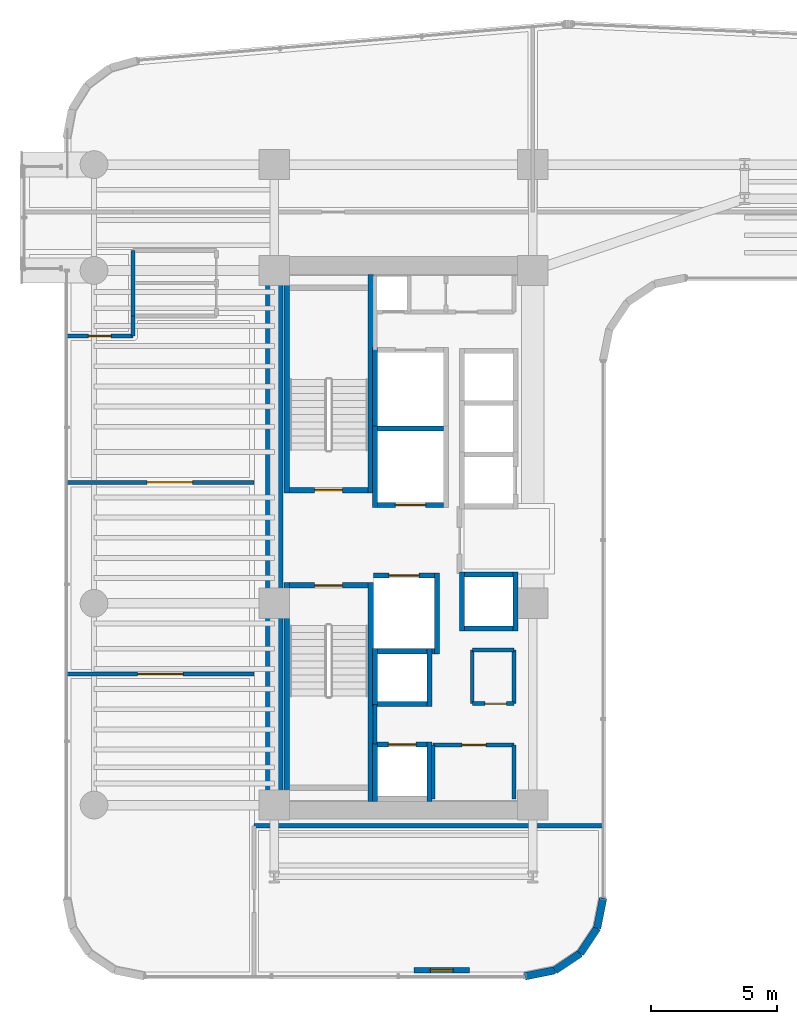
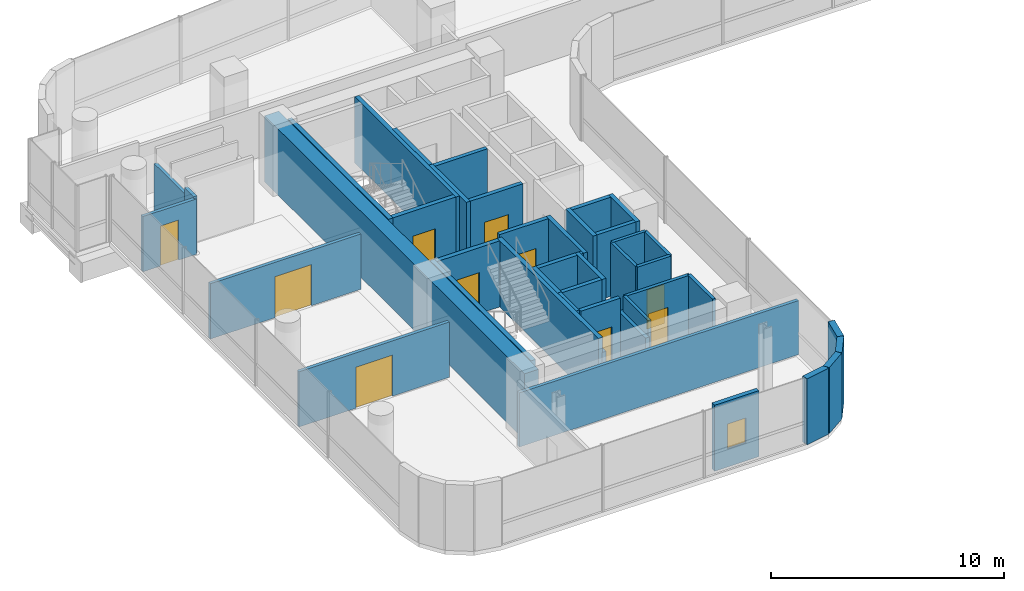
# One storey, part 27 of 34: 43 walls, 10 doors, 1 window, 11 openings.
"""IFC4 building model written with IfcOpenShell, lengths in metres."""

from ifc_helpers import new_model, si_unit, direction, frame, frame_2d, origin, place, context, subcontext, project, spatial, rectangle, extrude, material, layer, layer_set, type_object, element, fill, save


model = new_model("IFC4")

# Units and contexts
model_context = context("Model", 3, precision=1e-05, world=origin(), true_north=direction((0.0, 1.0)))
body_context = subcontext(model_context, "Body", "Model", "MODEL_VIEW")
ifc_project = project(units=[si_unit("LENGTHUNIT", "METRE"), si_unit("AREAUNIT", "SQUARE_METRE"), si_unit("VOLUMEUNIT", "CUBIC_METRE"), si_unit("PLANEANGLEUNIT", "RADIAN"), si_unit("MASSUNIT", "GRAM", prefix="KILO")], contexts=[model_context])

# Site, building, storey
site_placement = place(None, origin())
site = spatial("IfcSite", under=ifc_project, at=site_placement, CompositionType="ELEMENT")
building_placement = place(site_placement, origin())
building = spatial("IfcBuilding", under=site, at=building_placement, Name="Valdorenza Pilgrim Sanctuary Tower", CompositionType="ELEMENT")
storey_placement = place(building_placement, frame((0.0, 0.0, 120.5)))
storey = spatial("IfcBuildingStorey", under=building, at=storey_placement, Name="L30", CompositionType="ELEMENT", Elevation=120.5)

# Wall
ifc_material_1 = material(Name="Acoustic twin-stud gypsum partition", Category="gypsum")
ifc_layer_1 = layer(ifc_material_1, 0.159912109375, Name="Acoustic twin-stud gypsum partition")
ifc_layer_set_1 = layer_set([ifc_layer_1], Name="Acoustic twin-stud gypsum partition")
wall_type_1 = type_object("IfcWallType", Name="WAL-COR-160", PredefinedType="PARTITIONING", material=ifc_layer_set_1)
wall_1_placement = place(storey_placement, frame((-18.64990234375, -8.179931640625, 0.0), z_axis=(0.0, 0.0, 1.0), x_axis=(0.0, 1.0, 0.0)))
element("IfcWall", 1, at=wall_1_placement, inside=storey, type_object=wall_type_1, Name="L30 Core A South Lift Hall West Wall", PredefinedType="PARTITIONING", context=body_context, shape_type="SweptSolid", body=[
    extrude(rectangle(XDim=1.559814453125, YDim=0.159912109375, at=frame_2d((0.77978515625, 0.0))), origin(), (0.0, 0.0, 1.0), 3.4599609375),
])

# Wall, opening, door
wall_2_placement = place(storey_placement, frame((-16.35009765625, -8.219970703125, 0.0), z_axis=(0.0, 0.0, 1.0), x_axis=(1.0, 0.0, 0.0)))
wall_2 = element("IfcWall", 2, at=wall_2_placement, inside=storey, type_object=wall_type_1, Name="L30 Freed Shaft 1 North Wall", PredefinedType="PARTITIONING", context=body_context, shape_type="SweptSolid", body=[
    extrude(rectangle(XDim=3.2001953125, YDim=0.159912109375, at=frame_2d((1.60009765625, 0.0))), origin(), (0.0, 0.0, 1.0), 3.4599609375),
])
opening_1_placement = place(wall_2_placement, frame((1.14990234375, 0.0, 0.0)))
opening_1 = element("IfcOpeningElement", 3, at=opening_1_placement, cuts=wall_2, Name="Opening DR-UN1", PredefinedType="OPENING", context=body_context, shape_type="SweptSolid", body=[
    extrude(rectangle(XDim=0.949951171875, YDim=2.14990234375, at=frame_2d((0.47509765625, 1.074951171875))), frame((0.0, 0.0947265625, 0.0), z_axis=(0.0, -1.0, 0.0), x_axis=(1.0, 0.0, 0.0)), (0.0, 0.0, 1.0), 0.189697265625),
])
ifc_material_2 = material(Name="Solid-core European oak timber", Category="wood")
door_type_1 = type_object("IfcDoorType", Name="DR-UNIT-950", OperationType="NOTDEFINED", PredefinedType="DOOR", material=ifc_material_2)
door_1_placement = place(opening_1_placement, origin())
door_1 = element("IfcDoor", 4, at=door_1_placement, inside=storey, type_object=door_type_1, Name="L30 Back-of-House Linen Store Door", OperationType="SINGLE_SWING_RIGHT", OverallHeight=2.14990234375, OverallWidth=0.949951171875, PredefinedType="DOOR", context=body_context, shape_type="SweptSolid", body=[
    extrude(rectangle(XDim=0.949951171875, YDim=2.14990234375, at=frame_2d((0.47509765625, 1.074951171875))), frame((0.0, 0.02490234375, 0.0), z_axis=(0.0, -1.0, 0.0), x_axis=(1.0, 0.0, 0.0)), (0.0, 0.0, 1.0), 0.050048828125),
])
fill(opening_1, door_1)

# Wall
wall_3_placement = place(storey_placement, frame((-13.14990234375, -10.35009765625, 0.0), z_axis=(0.0, 0.0, 1.0), x_axis=(0.0, 1.0, 0.0)))
element("IfcWall", 5, at=wall_3_placement, inside=storey, type_object=wall_type_1, Name="L30 Freed Shaft 1 East Wall", PredefinedType="PARTITIONING", context=body_context, shape_type="SweptSolid", body=[
    extrude(rectangle(XDim=2.130126953125, YDim=0.159912109375, at=frame_2d((1.06494140625, 0.0))), origin(), (0.0, 0.0, 1.0), 3.4599609375),
])

# Wall, opening, door
wall_4_placement = place(storey_placement, frame((-14.800048828125, -6.580078125, 0.0), z_axis=(0.0, 0.0, 1.0), x_axis=(1.0, 0.0, 0.0)))
wall_4 = element("IfcWall", 6, at=wall_4_placement, inside=storey, type_object=wall_type_1, Name="L30 Freed Shaft 2 South Wall", PredefinedType="PARTITIONING", context=body_context, shape_type="SweptSolid", body=[
    extrude(rectangle(XDim=1.650146484375, YDim=0.159912109375, at=frame_2d((0.8251953125, 0.0))), origin(), (0.0, 0.0, 1.0), 3.4599609375),
])
opening_2_placement = place(wall_4_placement, frame((0.5, 0.0, 0.0)))
opening_2 = element("IfcOpeningElement", 7, at=opening_2_placement, cuts=wall_4, Name="Opening DR-RS1", PredefinedType="OPENING", context=body_context, shape_type="SweptSolid", body=[
    extrude(rectangle(XDim=0.85009765625, YDim=2.050048828125, at=frame_2d((0.425048828125, 1.02490234375))), frame((0.0, 0.0947265625, 0.0), z_axis=(0.0, -1.0, 0.0), x_axis=(1.0, 0.0, 0.0)), (0.0, 0.0, 1.0), 0.189697265625),
])
ifc_material_3 = material(Name="Painted galvanized steel", Category="steel")
door_type_2 = type_object("IfcDoorType", Name="DR-RSR-850", OperationType="NOTDEFINED", PredefinedType="DOOR", material=ifc_material_3)
door_2_placement = place(opening_2_placement, origin())
door_2 = element("IfcDoor", 8, at=door_2_placement, inside=storey, type_object=door_type_2, Name="L30 Guest Tea Pantry Door", OperationType="SINGLE_SWING_LEFT", OverallHeight=2.050048828125, OverallWidth=0.85009765625, PredefinedType="DOOR", context=body_context, shape_type="SweptSolid", body=[
    extrude(rectangle(XDim=0.85009765625, YDim=2.050048828125, at=frame_2d((0.425048828125, 1.02490234375))), frame((0.0, 0.02490234375, 0.0), z_axis=(0.0, -1.0, 0.0), x_axis=(1.0, 0.0, 0.0)), (0.0, 0.0, 1.0), 0.050048828125),
])
fill(opening_2, door_2)

# Walls
wall_5_placement = place(storey_placement, frame((-13.14990234375, -6.580078125, 0.0), z_axis=(0.0, 0.0, 1.0), x_axis=(0.0, 1.0, 0.0)))
element("IfcWall", 9, at=wall_5_placement, inside=storey, type_object=wall_type_1, Name="L30 Freed Shaft 2 East Wall", PredefinedType="PARTITIONING", context=body_context, shape_type="SweptSolid", body=[
    extrude(rectangle(XDim=2.130126953125, YDim=0.159912109375, at=frame_2d((1.06494140625, 0.0))), origin(), (0.0, 0.0, 1.0), 3.4599609375),
])
wall_6_placement = place(storey_placement, frame((-28.25, 8.800048828125, 0.0), z_axis=(0.0, 0.0, 1.0), x_axis=(0.0, 1.0, 0.0)))
element("IfcWall", 10, at=wall_6_placement, inside=storey, type_object=wall_type_1, Name="L30 Washroom West Wall", PredefinedType="PARTITIONING", context=body_context, shape_type="SweptSolid", body=[
    extrude(rectangle(XDim=2.599853515625, YDim=0.159912109375, at=frame_2d((1.2998046875, 0.0))), origin(), (0.0, 0.0, 1.0), 2.666015625),
])
wall_7_placement = place(storey_placement, frame((-23.449951171875, -11.419921875, 0.0), z_axis=(0.0, 0.0, 1.0), x_axis=(1.0, 0.0, 0.0)))
element("IfcWall", 11, at=wall_7_placement, inside=storey, type_object=wall_type_1, Name="L30 South-East Pocket North Wall", PredefinedType="PARTITIONING", context=body_context, shape_type="SweptSolid", body=[
    extrude(rectangle(XDim=13.83984375, YDim=0.159912109375, at=frame_2d((6.919921875, 0.0))), origin(), (0.0, 0.0, 1.0), 2.833984375),
])

# Wall, opening, door
wall_8_placement = place(storey_placement, frame((-30.889892578125, -5.39990234375, 0.0), z_axis=(0.0, 0.0, 1.0), x_axis=(1.0, 0.0, 0.0)))
wall_8 = element("IfcWall", 12, at=wall_8_placement, inside=storey, type_object=wall_type_1, Name="L30 Cloister South Room Wall", PredefinedType="PARTITIONING", context=body_context, shape_type="SweptSolid", body=[
    extrude(rectangle(XDim=7.43994140625, YDim=0.159912109375, at=frame_2d((3.719970703125, 0.0))), origin(), (0.0, 0.0, 1.0), 2.89599609375),
])
opening_3_placement = place(wall_8_placement, frame((2.820068359375, 0.0, 0.0)))
opening_3 = element("IfcOpeningElement", 13, at=opening_3_placement, cuts=wall_8, Name="Opening DR-HL1", PredefinedType="OPENING", context=body_context, shape_type="SweptSolid", body=[
    extrude(rectangle(XDim=1.800048828125, YDim=2.14990234375, at=frame_2d((0.89990234375, 1.074951171875))), frame((0.0, 0.0947265625, 0.0), z_axis=(0.0, -1.0, 0.0), x_axis=(1.0, 0.0, 0.0)), (0.0, 0.0, 1.0), 0.189697265625),
])
ifc_material_4 = material(Name="Acoustic oak and vision-glass double door", Category="glass")
door_type_3 = type_object("IfcDoorType", Name="DR-HALL-1800", OperationType="NOTDEFINED", PredefinedType="DOOR", material=ifc_material_4)
door_3_placement = place(opening_3_placement, frame((1.800048828125, 0.0, 0.0), z_axis=(0.0, 0.0, 1.0), x_axis=(-1.0, 0.0, 0.0)))
door_3 = element("IfcDoor", 14, at=door_3_placement, inside=storey, type_object=door_type_3, Name="L30 Sacred Archive Reading Library L30-S1 Door", OperationType="DOUBLE_DOOR_SINGLE_SWING", OverallHeight=2.14990234375, OverallWidth=1.800048828125, PredefinedType="DOOR", context=body_context, shape_type="SweptSolid", body=[
    extrude(rectangle(XDim=1.800048828125, YDim=2.14990234375, at=frame_2d((0.89990234375, 1.074951171875))), frame((0.0, 0.02490234375, 0.0), z_axis=(0.0, -1.0, 0.0), x_axis=(1.0, 0.0, 0.0)), (0.0, 0.0, 1.0), 0.050048828125),
])
fill(opening_3, door_3)

wall_9_placement = place(storey_placement, frame((-30.889892578125, 8.0, 0.0), z_axis=(0.0, 0.0, 1.0), x_axis=(1.0, 0.0, 0.0)))
wall_9 = element("IfcWall", 15, at=wall_9_placement, inside=storey, type_object=wall_type_1, Name="L30 Cloister North Room Wall", PredefinedType="PARTITIONING", context=body_context, shape_type="SweptSolid", body=[
    extrude(rectangle(XDim=2.639892578125, YDim=0.159912109375, at=frame_2d((1.31982421875, 0.0))), origin(), (0.0, 0.0, 1.0), 2.89599609375),
])
opening_4_placement = place(wall_9_placement, frame((0.8701171875, 0.0, 0.0)))
opening_4 = element("IfcOpeningElement", 16, at=opening_4_placement, cuts=wall_9, Name="Opening DR-RM1", PredefinedType="OPENING", context=body_context, shape_type="SweptSolid", body=[
    extrude(rectangle(XDim=0.89990234375, YDim=2.10009765625, at=frame_2d((0.449951171875, 1.050048828125))), frame((0.0, 0.0947265625, 0.0), z_axis=(0.0, -1.0, 0.0), x_axis=(1.0, 0.0, 0.0)), (0.0, 0.0, 1.0), 0.189697265625),
])
door_type_4 = type_object("IfcDoorType", Name="DR-ROOM-900", OperationType="NOTDEFINED", PredefinedType="DOOR", material=ifc_material_2)
door_4_placement = place(opening_4_placement, origin())
door_4 = element("IfcDoor", 17, at=door_4_placement, inside=storey, type_object=door_type_4, Name="L30 North Contemplation Lounge L30 Door", OperationType="SINGLE_SWING_RIGHT", OverallHeight=2.10009765625, OverallWidth=0.89990234375, PredefinedType="DOOR", context=body_context, shape_type="SweptSolid", body=[
    extrude(rectangle(XDim=0.89990234375, YDim=2.10009765625, at=frame_2d((0.449951171875, 1.050048828125))), frame((0.0, 0.02490234375, 0.0), z_axis=(0.0, -1.0, 0.0), x_axis=(1.0, 0.0, 0.0)), (0.0, 0.0, 1.0), 0.050048828125),
])
fill(opening_4, door_4)

# Wall
wall_10_placement = place(storey_placement, frame((-28.25, 8.0, 0.0), z_axis=(0.0, 0.0, 1.0), x_axis=(0.0, 1.0, 0.0)))
element("IfcWall", 18, at=wall_10_placement, inside=storey, type_object=wall_type_1, Name="L30 Cloister NE Closure", PredefinedType="PARTITIONING", context=body_context, shape_type="SweptSolid", body=[
    extrude(rectangle(XDim=0.800048828125, YDim=0.159912109375, at=frame_2d((0.39990234375, 0.0))), origin(), (0.0, 0.0, 1.0), 2.988037109375),
])

# Wall, opening, door
wall_11_placement = place(storey_placement, frame((-30.889892578125, 2.199951171875, 0.0), z_axis=(0.0, 0.0, 1.0), x_axis=(1.0, 0.0, 0.0)))
wall_11 = element("IfcWall", 19, at=wall_11_placement, inside=storey, type_object=wall_type_1, Name="L30 Cloister Mid Wall 2", PredefinedType="PARTITIONING", context=body_context, shape_type="SweptSolid", body=[
    extrude(rectangle(XDim=7.43994140625, YDim=0.159912109375, at=frame_2d((3.719970703125, 0.0))), origin(), (0.0, 0.0, 1.0), 2.89599609375),
])
opening_5_placement = place(wall_11_placement, frame((3.199951171875, 0.0, 0.0)))
opening_5 = element("IfcOpeningElement", 20, at=opening_5_placement, cuts=wall_11, Name="Opening DR-HL1", PredefinedType="OPENING", context=body_context, shape_type="SweptSolid", body=[
    extrude(rectangle(XDim=1.800048828125, YDim=2.14990234375, at=frame_2d((0.89990234375, 1.074951171875))), frame((0.0, 0.0947265625, 0.0), z_axis=(0.0, -1.0, 0.0), x_axis=(1.0, 0.0, 0.0)), (0.0, 0.0, 1.0), 0.189697265625),
])
door_5_placement = place(opening_5_placement, frame((1.800048828125, 0.0, 0.0), z_axis=(0.0, 0.0, 1.0), x_axis=(-1.0, 0.0, 0.0)))
door_5 = element("IfcDoor", 21, at=door_5_placement, inside=storey, type_object=door_type_3, Name="L30 Cloister Mid Double Door", OperationType="DOUBLE_DOOR_SINGLE_SWING", OverallHeight=2.14990234375, OverallWidth=1.800048828125, PredefinedType="DOOR", context=body_context, shape_type="SweptSolid", body=[
    extrude(rectangle(XDim=1.800048828125, YDim=2.14990234375, at=frame_2d((0.89990234375, 1.074951171875))), frame((0.0, 0.02490234375, 0.0), z_axis=(0.0, -1.0, 0.0), x_axis=(1.0, 0.0, 0.0)), (0.0, 0.0, 1.0), 0.050048828125),
])
fill(opening_5, door_5)

# Walls
ifc_material_5 = material(Name="Concrete C60/75", Category="concrete")
ifc_layer_2 = layer(ifc_material_5, 0.699951171875, Name="Concrete C60/75")
ifc_layer_set_2 = layer_set([ifc_layer_2], Name="Concrete C60/75")
wall_type_2 = type_object("IfcWallType", Name="WAL-COR-700", PredefinedType="SHEAR", material=ifc_layer_set_2)
wall_12_placement = place(storey_placement, frame((-22.64990234375, -11.14990234375, 0.0), z_axis=(0.0, 0.0, 1.0), x_axis=(0.0, 1.0, 0.0)))
element("IfcWall", 22, at=wall_12_placement, inside=storey, type_object=wall_type_2, Name="L30 Split Core A Shear Wall W", PredefinedType="SHEAR", context=body_context, shape_type="SweptSolid", body=[
    extrude(rectangle(XDim=22.2998046875, YDim=0.699951171875, at=frame_2d((11.14990234375, 0.0))), origin(), (0.0, 0.0, 1.0), 3.4599609375),
])
ifc_material_6 = material(Name="Honed travertine limestone", Category="masonry")
ifc_layer_3 = layer(ifc_material_6, 0.300048828125, Name="Honed travertine limestone")
ifc_layer_set_3 = layer_set([ifc_layer_3], Name="Honed travertine limestone")
wall_type_3 = type_object("IfcWallType", Name="WAL-EXT-300", PredefinedType="SOLIDWALL", material=ifc_layer_set_3)
wall_13_placement = place(storey_placement, frame((-9.610107421875, -14.289306640625, 0.0), z_axis=(0.0, 0.0, 1.0), x_axis=(-0.194996050505, -0.980804027463, 0.0)))
element("IfcWall", 23, at=wall_13_placement, inside=storey, type_object=wall_type_3, Name="L30 Rounded Wind-Corner Stone Pier 42", PredefinedType="SOLIDWALL", context=body_context, shape_type="SweptSolid", body=[
    extrude(rectangle(XDim=1.2158203125, YDim=0.300048828125, at=frame_2d((0.60791015625, 0.0))), origin(), (0.0, 0.0, 1.0), 3.4599609375),
])
for number, where, z_axis, x_axis, name in (
    (24, (-9.84716796875, -15.481689453125, 0.0), (0.0, 0.0, 1.0), (-0.555635100982, -0.831426265255, 0.0), "L30 Rounded Wind-Corner Stone Pier 43"),
    (25, (-10.5166015625, -16.4833984375, 0.0), (0.0, 0.0, 1.0), (-0.831426265255, -0.555635100982, 0.0), "L30 Rounded Wind-Corner Stone Pier 44"),
):
    element("IfcWall", number, at=place(storey_placement, frame(where, z_axis=z_axis, x_axis=x_axis)), inside=storey, type_object=wall_type_3, Name=name, PredefinedType="SOLIDWALL", context=body_context, shape_type="SweptSolid", body=[
        extrude(rectangle(XDim=1.204833984375, YDim=0.300048828125, at=frame_2d((0.6025390625, 0.0))), origin(), (0.0, 0.0, 1.0), 3.4599609375),
    ])
wall_14_placement = place(storey_placement, frame((-11.518310546875, -17.15283203125, 0.0), z_axis=(0.0, 0.0, 1.0), x_axis=(-0.980804027463, -0.194996050505, 0.0)))
element("IfcWall", 26, at=wall_14_placement, inside=storey, type_object=wall_type_3, Name="L30 Rounded Wind-Corner Stone Pier 45", PredefinedType="SOLIDWALL", context=body_context, shape_type="SweptSolid", body=[
    extrude(rectangle(XDim=1.2158203125, YDim=0.300048828125, at=frame_2d((0.60791015625, 0.0))), origin(), (0.0, 0.0, 1.0), 3.4599609375),
])

# Wall, opening, window
wall_15_placement = place(storey_placement, frame((-14.910888671875, -17.14990234375, 0.0), z_axis=(0.0, 0.0, 1.0), x_axis=(-1.0, 0.0, 0.0)))
wall_15 = element("IfcWall", 27, at=wall_15_placement, inside=storey, type_object=wall_type_3, Name="L30 Operable Ventilation Sash Jamb Pier", PredefinedType="SOLIDWALL", context=body_context, shape_type="SweptSolid", body=[
    extrude(rectangle(XDim=2.199951171875, YDim=0.219970703125, at=frame_2d((1.10009765625, 0.0))), origin(), (0.0, 0.0, 1.0), 3.4599609375),
])
opening_6_placement = place(wall_15_placement, frame((0.64990234375, 0.0, 0.949951171875)))
opening_6 = element("IfcOpeningElement", 28, at=opening_6_placement, cuts=wall_15, Name="Opening WN-OP1", PredefinedType="OPENING", context=body_context, shape_type="SweptSolid", body=[
    extrude(rectangle(XDim=0.89990234375, YDim=1.300048828125, at=frame_2d((0.449951171875, 0.64990234375))), frame((0.0, 0.125, 0.0), z_axis=(0.0, -1.0, 0.0), x_axis=(1.0, 0.0, 0.0)), (0.0, 0.0, 1.0), 0.249755859375),
])
ifc_material_7 = material(Name="Ceramic-fritted low-E IGU glazing", Category="glass")
window_type = type_object("IfcWindowType", Name="WIN-OPN-900", PartitioningType="SINGLE_PANEL", PredefinedType="WINDOW", material=ifc_material_7)
window_placement = place(opening_6_placement, origin())
window = element("IfcWindow", 29, at=window_placement, inside=storey, type_object=window_type, Name="L30 Parallel-Pop-Out Operable Facade Panel", OverallHeight=1.300048828125, OverallWidth=0.89990234375, PartitioningType="SINGLE_PANEL", PredefinedType="WINDOW", context=body_context, shape_type="SweptSolid", body=[
    extrude(rectangle(XDim=0.89990234375, YDim=1.300048828125, at=frame_2d((0.449951171875, 0.64990234375))), frame((0.0, 0.030029296875, 0.0), z_axis=(0.0, -1.0, 0.0), x_axis=(1.0, 0.0, 0.0)), (0.0, 0.0, 1.0), 0.06005859375),
])
fill(opening_6, window)

# Wall
ifc_material_8 = material(Name="Autoclaved aerated concrete blockwork", Category="masonry")
ifc_layer_4 = layer(ifc_material_8, 0.199951171875, Name="Autoclaved aerated concrete blockwork")
ifc_layer_set_4 = layer_set([ifc_layer_4], Name="Autoclaved aerated concrete blockwork")
wall_type_4 = type_object("IfcWallType", Name="WAL-SHF-200", PredefinedType="MOVABLE", material=ifc_layer_set_4)
wall_16_placement = place(storey_placement, frame((-18.64990234375, 1.199951171875, 0.0), z_axis=(0.0, 0.0, 1.0), x_axis=(0.0, 1.0, 0.0)))
element("IfcWall", 30, at=wall_16_placement, inside=storey, type_object=wall_type_4, Name="L30 Lift FFL-01 Hoistway Wall West", PredefinedType="MOVABLE", context=body_context, shape_type="SweptSolid", body=[
    extrude(rectangle(XDim=3.22509765625, YDim=0.199951171875, at=frame_2d((1.612548828125, 0.0))), origin(), (0.0, 0.0, 1.0), 3.4599609375),
])

# Wall, opening, door
wall_17_placement = place(storey_placement, frame((-18.550048828125, 1.300048828125, 0.0), z_axis=(0.0, 0.0, 1.0), x_axis=(1.0, 0.0, 0.0)))
wall_17 = element("IfcWall", 31, at=wall_17_placement, inside=storey, type_object=wall_type_4, Name="L30 Lift FFL-01 Hoistway Wall South", PredefinedType="MOVABLE", context=body_context, shape_type="SweptSolid", body=[
    extrude(rectangle(XDim=2.60009765625, YDim=0.199951171875, at=frame_2d((1.300048828125, 0.0))), origin(), (0.0, 0.0, 1.0), 3.4599609375),
])
opening_7_placement = place(wall_17_placement, frame((0.699951171875, 0.0, 0.0)))
opening_7 = element("IfcOpeningElement", 32, at=opening_7_placement, cuts=wall_17, Name="Opening LD-02", PredefinedType="OPENING", context=body_context, shape_type="SweptSolid", body=[
    extrude(rectangle(XDim=1.199951171875, YDim=2.10009765625, at=frame_2d((0.60009765625, 1.050048828125))), frame((0.0, 0.11474609375, 0.0), z_axis=(0.0, -1.0, 0.0), x_axis=(1.0, 0.0, 0.0)), (0.0, 0.0, 1.0), 0.229736328125),
])
ifc_material_9 = material(Name="Brushed stainless steel Grade 316", Category="steel")
door_type_5 = type_object("IfcDoorType", Name="DR-LFT-1200", OperationType="DOUBLE_DOOR_SLIDING", PredefinedType="DOOR", material=ifc_material_9)
door_6_placement = place(opening_7_placement, origin())
door_6 = element("IfcDoor", 33, at=door_6_placement, inside=storey, type_object=door_type_5, Name="L30 Lift FFL-01 Sliding Landing Door", OperationType="DOUBLE_DOOR_SLIDING", OverallHeight=2.10009765625, OverallWidth=1.199951171875, PredefinedType="DOOR", context=body_context, shape_type="SweptSolid", body=[
    extrude(rectangle(XDim=1.199951171875, YDim=2.10009765625, at=frame_2d((0.60009765625, 1.050048828125))), frame((0.0, 0.02490234375, 0.0), z_axis=(0.0, -1.0, 0.0), x_axis=(1.0, 0.0, 0.0)), (0.0, 0.0, 1.0), 0.050048828125),
])
fill(opening_7, door_6)

# Walls
wall_18_placement = place(storey_placement, frame((-18.550048828125, 4.324951171875, 0.0), z_axis=(0.0, 0.0, 1.0), x_axis=(1.0, 0.0, 0.0)))
element("IfcWall", 34, at=wall_18_placement, inside=storey, type_object=wall_type_4, Name="L30 Lift FFL-01 Hoistway Wall North", PredefinedType="MOVABLE", context=body_context, shape_type="SweptSolid", body=[
    extrude(rectangle(XDim=2.60009765625, YDim=0.199951171875, at=frame_2d((1.300048828125, 0.0))), origin(), (0.0, 0.0, 1.0), 3.4599609375),
])
wall_19_placement = place(storey_placement, frame((-16.199951171875, -4.60009765625, 0.0), z_axis=(0.0, 0.0, 1.0), x_axis=(0.0, 1.0, 0.0)))
element("IfcWall", 35, at=wall_19_placement, inside=storey, type_object=wall_type_4, Name="L30 Lift FFL-02 Hoistway Wall East", PredefinedType="MOVABLE", context=body_context, shape_type="SweptSolid", body=[
    extrude(rectangle(XDim=3.2001953125, YDim=0.199951171875, at=frame_2d((1.60009765625, 0.0))), origin(), (0.0, 0.0, 1.0), 3.4599609375),
])
wall_20_placement = place(storey_placement, frame((-18.719970703125, -4.5, 0.0), z_axis=(0.0, 0.0, 1.0), x_axis=(1.0, 0.0, 0.0)))
element("IfcWall", 36, at=wall_20_placement, inside=storey, type_object=wall_type_4, Name="L30 Lift FFL-02 Hoistway Wall South", PredefinedType="MOVABLE", context=body_context, shape_type="SweptSolid", body=[
    extrude(rectangle(XDim=2.419921875, YDim=0.199951171875, at=frame_2d((1.2099609375, 0.0))), origin(), (0.0, 0.0, 1.0), 3.4599609375),
])

# Wall, opening, door
wall_21_placement = place(storey_placement, frame((-18.719970703125, -1.5, 0.0), z_axis=(0.0, 0.0, 1.0), x_axis=(1.0, 0.0, 0.0)))
wall_21 = element("IfcWall", 37, at=wall_21_placement, inside=storey, type_object=wall_type_4, Name="L30 Lift FFL-02 Hoistway Wall North", PredefinedType="MOVABLE", context=body_context, shape_type="SweptSolid", body=[
    extrude(rectangle(XDim=2.419921875, YDim=0.199951171875, at=frame_2d((1.2099609375, 0.0))), origin(), (0.0, 0.0, 1.0), 3.4599609375),
])
opening_8_placement = place(wall_21_placement, frame((0.610107421875, 0.0, 0.0)))
opening_8 = element("IfcOpeningElement", 38, at=opening_8_placement, cuts=wall_21, Name="Opening LD-02", PredefinedType="OPENING", context=body_context, shape_type="SweptSolid", body=[
    extrude(rectangle(XDim=1.199951171875, YDim=2.10009765625, at=frame_2d((0.60009765625, 1.050048828125))), frame((0.0, 0.11474609375, 0.0), z_axis=(0.0, -1.0, 0.0), x_axis=(1.0, 0.0, 0.0)), (0.0, 0.0, 1.0), 0.229736328125),
])
door_7_placement = place(opening_8_placement, origin())
door_7 = element("IfcDoor", 39, at=door_7_placement, inside=storey, type_object=door_type_5, Name="L30 Lift FFL-02 Sliding Landing Door", OperationType="DOUBLE_DOOR_SLIDING", OverallHeight=2.10009765625, OverallWidth=1.199951171875, PredefinedType="DOOR", context=body_context, shape_type="SweptSolid", body=[
    extrude(rectangle(XDim=1.199951171875, YDim=2.10009765625, at=frame_2d((0.60009765625, 1.050048828125))), frame((0.0, 0.02490234375, 0.0), z_axis=(0.0, -1.0, 0.0), x_axis=(1.0, 0.0, 0.0)), (0.0, 0.0, 1.0), 0.050048828125),
])
fill(opening_8, door_7)

# Walls
wall_22_placement = place(storey_placement, frame((-18.64990234375, 4.22509765625, 0.0), z_axis=(0.0, 0.0, 1.0), x_axis=(0.0, 1.0, 0.0)))
element("IfcWall", 40, at=wall_22_placement, inside=storey, type_object=wall_type_4, Name="L30 Lift SVL-01 Hoistway Wall West", PredefinedType="MOVABLE", context=body_context, shape_type="SweptSolid", body=[
    extrude(rectangle(XDim=3.324951171875, YDim=0.199951171875, at=frame_2d((1.66259765625, 0.0))), origin(), (0.0, 0.0, 1.0), 3.4599609375),
])
for number, where, z_axis, x_axis, name in (
    (41, (-18.64990234375, -10.449951171875, 0.0), (0.0, 0.0, 1.0), (0.0, 1.0, 0.0), "L30 Lift PL-05 Hoistway Wall West"),
    (42, (-16.5, -10.449951171875, 0.0), (0.0, 0.0, 1.0), (0.0, 1.0, 0.0), "L30 Lift PL-05 Hoistway Wall East"),
):
    element("IfcWall", number, at=place(storey_placement, frame(where, z_axis=z_axis, x_axis=x_axis)), inside=storey, type_object=wall_type_4, Name=name, PredefinedType="MOVABLE", context=body_context, shape_type="SweptSolid", body=[
        extrude(rectangle(XDim=2.349853515625, YDim=0.199951171875, at=frame_2d((1.1748046875, 0.0))), origin(), (0.0, 0.0, 1.0), 2.666015625),
    ])

# Wall, opening, door
wall_23_placement = place(storey_placement, frame((-18.550048828125, -8.199951171875, 0.0), z_axis=(0.0, 0.0, 1.0), x_axis=(1.0, 0.0, 0.0)))
wall_23 = element("IfcWall", 43, at=wall_23_placement, inside=storey, type_object=wall_type_4, Name="L30 Lift PL-05 Hoistway Wall North", PredefinedType="MOVABLE", context=body_context, shape_type="SweptSolid", body=[
    extrude(rectangle(XDim=1.949951171875, YDim=0.199951171875, at=frame_2d((0.97509765625, 0.0))), origin(), (0.0, 0.0, 1.0), 3.4599609375),
])
opening_9_placement = place(wall_23_placement, frame((0.425048828125, 0.0, 0.0)))
opening_9 = element("IfcOpeningElement", 44, at=opening_9_placement, cuts=wall_23, Name="Opening LD-01", PredefinedType="OPENING", context=body_context, shape_type="SweptSolid", body=[
    extrude(rectangle(XDim=1.10009765625, YDim=2.10009765625, at=frame_2d((0.550048828125, 1.050048828125))), frame((0.0, 0.11474609375, 0.0), z_axis=(0.0, -1.0, 0.0), x_axis=(1.0, 0.0, 0.0)), (0.0, 0.0, 1.0), 0.229736328125),
])
door_type_6 = type_object("IfcDoorType", Name="DR-LFT-1100", OperationType="DOUBLE_DOOR_SLIDING", PredefinedType="DOOR", material=ifc_material_9)
door_8_placement = place(opening_9_placement, origin())
door_8 = element("IfcDoor", 45, at=door_8_placement, inside=storey, type_object=door_type_6, Name="L30 Lift PL-05 Sliding Landing Door", OperationType="DOUBLE_DOOR_SLIDING", OverallHeight=2.10009765625, OverallWidth=1.10009765625, PredefinedType="DOOR", context=body_context, shape_type="SweptSolid", body=[
    extrude(rectangle(XDim=1.10009765625, YDim=2.10009765625, at=frame_2d((0.550048828125, 1.050048828125))), frame((0.0, 0.02490234375, 0.0), z_axis=(0.0, -1.0, 0.0), x_axis=(1.0, 0.0, 0.0)), (0.0, 0.0, 1.0), 0.050048828125),
])
fill(opening_9, door_8)

# Walls
for number, where, z_axis, x_axis, name in (
    (46, (-18.64990234375, -6.699951171875, 0.0), (0.0, 0.0, 1.0), (0.0, 1.0, 0.0), "L30 Lift PL-11 Hoistway Wall West"),
    (47, (-16.5, -6.699951171875, 0.0), (0.0, 0.0, 1.0), (0.0, 1.0, 0.0), "L30 Lift PL-11 Hoistway Wall East"),
):
    element("IfcWall", number, at=place(storey_placement, frame(where, z_axis=z_axis, x_axis=x_axis)), inside=storey, type_object=wall_type_4, Name=name, PredefinedType="MOVABLE", context=body_context, shape_type="SweptSolid", body=[
        extrude(rectangle(XDim=2.300048828125, YDim=0.199951171875, at=frame_2d((1.14990234375, 0.0))), origin(), (0.0, 0.0, 1.0), 3.4599609375),
    ])
wall_24_placement = place(storey_placement, frame((-18.550048828125, -6.60009765625, 0.0), z_axis=(0.0, 0.0, 1.0), x_axis=(1.0, 0.0, 0.0)))
element("IfcWall", 48, at=wall_24_placement, inside=storey, type_object=wall_type_4, Name="L30 Lift PL-11 Hoistway Wall South", PredefinedType="MOVABLE", context=body_context, shape_type="SweptSolid", body=[
    extrude(rectangle(XDim=1.949951171875, YDim=0.199951171875, at=frame_2d((0.97509765625, 0.0))), origin(), (0.0, 0.0, 1.0), 3.4599609375),
])
for number, where, z_axis, x_axis, name in (
    (49, (-15.199951171875, -3.699951171875, 0.0), (0.0, 0.0, 1.0), (0.0, 1.0, 0.0), "L30 Lift PL-12 Hoistway Wall West"),
    (50, (-13.080078125, -3.699951171875, 0.0), (0.0, 0.0, 1.0), (0.0, 1.0, 0.0), "L30 Lift PL-12 Hoistway Wall East"),
):
    element("IfcWall", number, at=place(storey_placement, frame(where, z_axis=z_axis, x_axis=x_axis)), inside=storey, type_object=wall_type_4, Name=name, PredefinedType="MOVABLE", context=body_context, shape_type="SweptSolid", body=[
        extrude(rectangle(XDim=2.349853515625, YDim=0.199951171875, at=frame_2d((1.1748046875, 0.0))), origin(), (0.0, 0.0, 1.0), 3.4599609375),
    ])
for number, where, z_axis, x_axis, name in (
    (51, (-15.10009765625, -3.60009765625, 0.0), (0.0, 0.0, 1.0), (1.0, 0.0, 0.0), "L30 Lift PL-12 Hoistway Wall South"),
    (52, (-15.10009765625, -1.449951171875, 0.0), (0.0, 0.0, 1.0), (1.0, 0.0, 0.0), "L30 Lift PL-12 Hoistway Wall North"),
):
    element("IfcWall", number, at=place(storey_placement, frame(where, z_axis=z_axis, x_axis=x_axis)), inside=storey, type_object=wall_type_4, Name=name, PredefinedType="MOVABLE", context=body_context, shape_type="SweptSolid", body=[
        extrude(rectangle(XDim=1.920166015625, YDim=0.199951171875, at=frame_2d((0.9599609375, 0.0))), origin(), (0.0, 0.0, 1.0), 3.4599609375),
    ])
ifc_material_10 = material(Name="Concrete C40/50", Category="concrete")
ifc_layer_5 = layer(ifc_material_10, 0.219970703125, Name="Concrete C40/50")
ifc_layer_set_5 = layer_set([ifc_layer_5], Name="Concrete C40/50")
wall_type_5 = type_object("IfcWallType", Name="WAL-STR-SHF-220", PredefinedType="SHEAR", material=ifc_layer_set_5)
for number, where, z_axis, x_axis, name in (
    (53, (-22.159912109375, 1.780029296875, 0.0), (0.0, 0.0, 1.0), (0.0, 1.0, 0.0), "L30 ST-A1 Structural Stairwell Wall W"),
    (54, (-18.830078125, 1.780029296875, 0.0), (0.0, 0.0, 1.0), (0.0, 1.0, 0.0), "L30 ST-A1 Structural Stairwell Wall E"),
):
    element("IfcWall", number, at=place(storey_placement, frame(where, z_axis=z_axis, x_axis=x_axis)), inside=storey, type_object=wall_type_5, Name=name, PredefinedType="SHEAR", context=body_context, shape_type="SweptSolid", body=[
        extrude(rectangle(XDim=8.669921875, YDim=0.219970703125, at=frame_2d((4.3349609375, 0.0))), origin(), (0.0, 0.0, 1.0), 3.4599609375),
    ])

# Wall, opening, door
wall_25_placement = place(storey_placement, frame((-22.050048828125, 1.889892578125, 0.0), z_axis=(0.0, 0.0, 1.0), x_axis=(1.0, 0.0, 0.0)))
wall_25 = element("IfcWall", 55, at=wall_25_placement, inside=storey, type_object=wall_type_5, Name="L30 ST-A1 Structural Stairwell Wall S", PredefinedType="SHEAR", context=body_context, shape_type="SweptSolid", body=[
    extrude(rectangle(XDim=3.110107421875, YDim=0.219970703125, at=frame_2d((1.55517578125, 0.0))), origin(), (0.0, 0.0, 1.0), 3.4599609375),
])
opening_10_placement = place(wall_25_placement, frame((1.0, 0.0, 0.0)))
opening_10 = element("IfcOpeningElement", 56, at=opening_10_placement, cuts=wall_25, Name="Opening DR-ST1", PredefinedType="OPENING", context=body_context, shape_type="SweptSolid", body=[
    extrude(rectangle(XDim=1.10009765625, YDim=2.14990234375, at=frame_2d((0.550048828125, 1.074951171875))), frame((0.0, 0.125, 0.0), z_axis=(0.0, -1.0, 0.0), x_axis=(1.0, 0.0, 0.0)), (0.0, 0.0, 1.0), 0.249755859375),
])
door_type_7 = type_object("IfcDoorType", Name="DR-STAIR-1100", OperationType="NOTDEFINED", PredefinedType="DOOR", material=ifc_material_3)
door_9_placement = place(opening_10_placement, frame((1.10009765625, 0.0, 0.0), z_axis=(0.0, 0.0, 1.0), x_axis=(-1.0, 0.0, 0.0)))
door_9 = element("IfcDoor", 57, at=door_9_placement, inside=storey, type_object=door_type_7, Name="L30 Exit Stair ST-A1 Door", OperationType="SINGLE_SWING_LEFT", OverallHeight=2.14990234375, OverallWidth=1.10009765625, PredefinedType="DOOR", context=body_context, shape_type="SweptSolid", body=[
    extrude(rectangle(XDim=1.10009765625, YDim=2.14990234375, at=frame_2d((0.550048828125, 1.074951171875))), frame((0.0, 0.02490234375, 0.0), z_axis=(0.0, -1.0, 0.0), x_axis=(1.0, 0.0, 0.0)), (0.0, 0.0, 1.0), 0.050048828125),
])
fill(opening_10, door_9)

# Walls
for number, where, z_axis, x_axis, name in (
    (58, (-22.159912109375, -10.449951171875, 0.0), (0.0, 0.0, 1.0), (0.0, 1.0, 0.0), "L30 ST-A2 Structural Stairwell Wall W"),
    (59, (-18.830078125, -10.449951171875, 0.0), (0.0, 0.0, 1.0), (0.0, 1.0, 0.0), "L30 ST-A2 Structural Stairwell Wall E"),
):
    element("IfcWall", number, at=place(storey_placement, frame(where, z_axis=z_axis, x_axis=x_axis)), inside=storey, type_object=wall_type_5, Name=name, PredefinedType="SHEAR", context=body_context, shape_type="SweptSolid", body=[
        extrude(rectangle(XDim=8.669921875, YDim=0.219970703125, at=frame_2d((4.3349609375, 0.0))), origin(), (0.0, 0.0, 1.0), 3.4599609375),
    ])

# Wall, opening, door
wall_26_placement = place(storey_placement, frame((-22.050048828125, -1.889892578125, 0.0), z_axis=(0.0, 0.0, 1.0), x_axis=(1.0, 0.0, 0.0)))
wall_26 = element("IfcWall", 60, at=wall_26_placement, inside=storey, type_object=wall_type_5, Name="L30 ST-A2 Structural Stairwell Wall N", PredefinedType="SHEAR", context=body_context, shape_type="SweptSolid", body=[
    extrude(rectangle(XDim=3.110107421875, YDim=0.219970703125, at=frame_2d((1.55517578125, 0.0))), origin(), (0.0, 0.0, 1.0), 3.4599609375),
])
opening_11_placement = place(wall_26_placement, frame((1.0, 0.0, 0.0)))
opening_11 = element("IfcOpeningElement", 61, at=opening_11_placement, cuts=wall_26, Name="Opening DR-ST1", PredefinedType="OPENING", context=body_context, shape_type="SweptSolid", body=[
    extrude(rectangle(XDim=1.10009765625, YDim=2.14990234375, at=frame_2d((0.550048828125, 1.074951171875))), frame((0.0, 0.125, 0.0), z_axis=(0.0, -1.0, 0.0), x_axis=(1.0, 0.0, 0.0)), (0.0, 0.0, 1.0), 0.249755859375),
])
door_10_placement = place(opening_11_placement, origin())
door_10 = element("IfcDoor", 62, at=door_10_placement, inside=storey, type_object=door_type_7, Name="L30 Exit Stair ST-A2 Door", OperationType="SINGLE_SWING_RIGHT", OverallHeight=2.14990234375, OverallWidth=1.10009765625, PredefinedType="DOOR", context=body_context, shape_type="SweptSolid", body=[
    extrude(rectangle(XDim=1.10009765625, YDim=2.14990234375, at=frame_2d((0.550048828125, 1.074951171875))), frame((0.0, 0.02490234375, 0.0), z_axis=(0.0, -1.0, 0.0), x_axis=(1.0, 0.0, 0.0)), (0.0, 0.0, 1.0), 0.050048828125),
])
fill(opening_11, door_10)

# Walls
ifc_layer_6 = layer(ifc_material_1, 0.14990234375, Name="Acoustic twin-stud gypsum partition")
ifc_layer_set_6 = layer_set([ifc_layer_6], Name="Acoustic twin-stud gypsum partition")
wall_type_6 = type_object("IfcWallType", Name="WAL-UNT-150", PredefinedType="PARTITIONING", material=ifc_layer_set_6)
for number, where, z_axis, x_axis, name in (
    (63, (-16.35009765625, -10.35009765625, 0.0), (0.0, 0.0, 1.0), (0.0, 1.0, 0.0), "L30 Freed Shaft 1 West Wall"),
    (64, (-14.800048828125, -6.580078125, 0.0), (0.0, 0.0, 1.0), (0.0, 1.0, 0.0), "L30 Freed Shaft 2 West Wall"),
):
    element("IfcWall", number, at=place(storey_placement, frame(where, z_axis=z_axis, x_axis=x_axis)), inside=storey, type_object=wall_type_6, Name=name, PredefinedType="PARTITIONING", context=body_context, shape_type="SweptSolid", body=[
        extrude(rectangle(XDim=2.130126953125, YDim=0.14990234375, at=frame_2d((1.06494140625, 0.0))), origin(), (0.0, 0.0, 1.0), 3.4599609375),
    ])
wall_27_placement = place(storey_placement, frame((-14.800048828125, -4.449951171875, 0.0), z_axis=(0.0, 0.0, 1.0), x_axis=(1.0, 0.0, 0.0)))
element("IfcWall", 65, at=wall_27_placement, inside=storey, type_object=wall_type_6, Name="L30 Freed Shaft 2 North Wall", PredefinedType="PARTITIONING", context=body_context, shape_type="SweptSolid", body=[
    extrude(rectangle(XDim=1.650146484375, YDim=0.14990234375, at=frame_2d((0.8251953125, 0.0))), origin(), (0.0, 0.0, 1.0), 3.4599609375),
])

save(model, "model.ifc")
